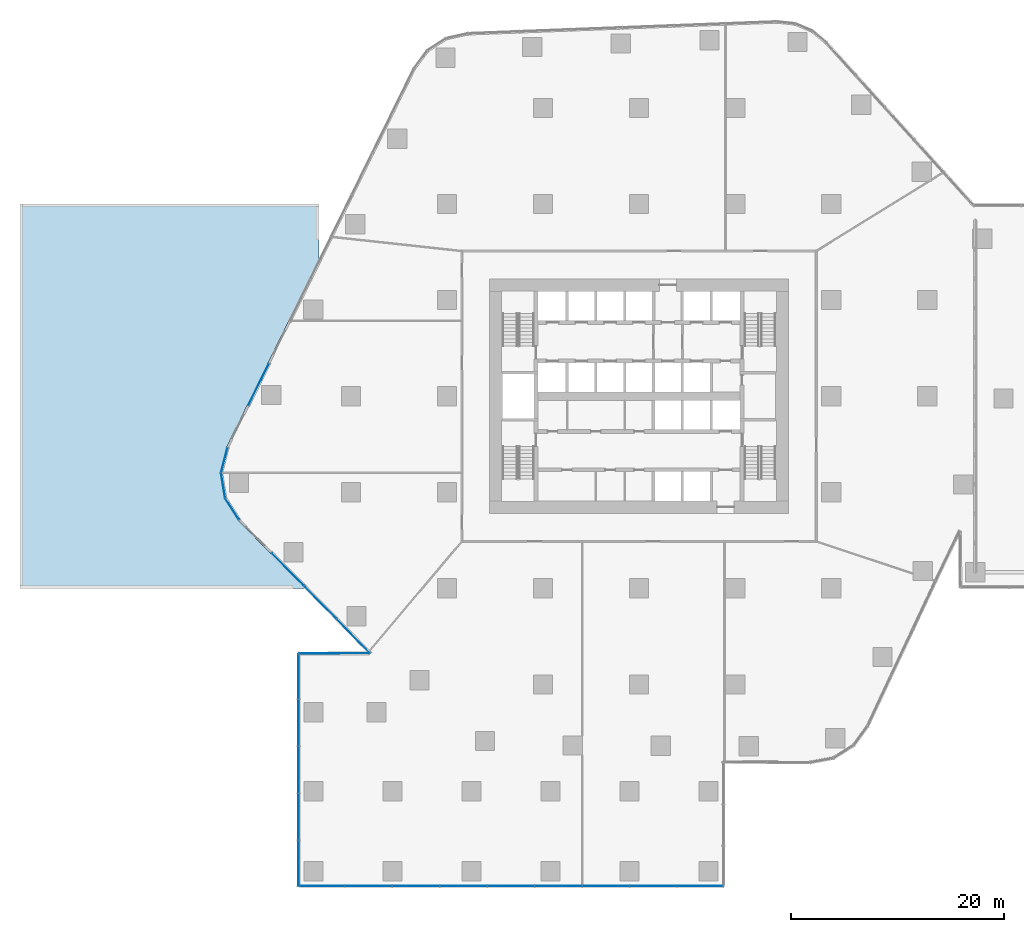
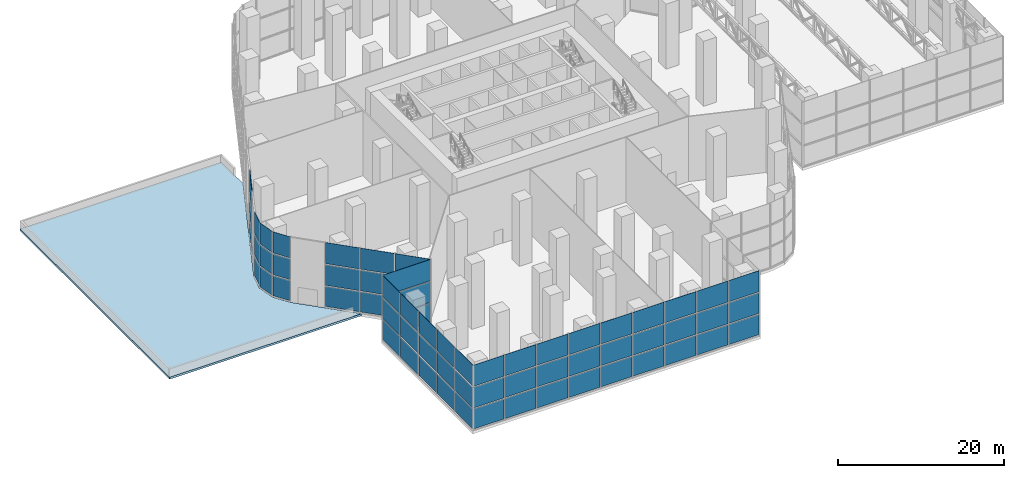
# One storey, part 11 of 21: 66 plates, 1 slab, 6 elements without a shape of their own.
"""IFC4 building model written with IfcOpenShell, lengths in metres."""

from ifc_helpers import new_model, si_unit, direction, frame, origin, origin_2d, place, context, subcontext, project, spatial, polyline, rectangle, outline, extrude, material, layer, layer_set, type_object, element, aggregate, save


model = new_model("IFC4")

# Units and contexts
model_context = context("Model", 3, precision=1e-05, world=origin(), true_north=direction((0.0, 1.0)))
body_context = subcontext(model_context, "Body", "Model", "MODEL_VIEW")
ifc_project = project(units=[si_unit("LENGTHUNIT", "METRE"), si_unit("AREAUNIT", "SQUARE_METRE"), si_unit("VOLUMEUNIT", "CUBIC_METRE"), si_unit("PLANEANGLEUNIT", "RADIAN"), si_unit("MASSUNIT", "GRAM", prefix="KILO")], contexts=[model_context])

# Site, building, storey
site_placement = place(None, origin())
site = spatial("IfcSite", under=ifc_project, at=site_placement, CompositionType="ELEMENT")
building_placement = place(site_placement, origin())
building = spatial("IfcBuilding", under=site, at=building_placement, Name="Dongbaek Canopy Tower", CompositionType="ELEMENT")
storey_placement = place(building_placement, frame((0.0, 0.0, 9.0)))
storey = spatial("IfcBuildingStorey", under=building, at=storey_placement, Name="L01", CompositionType="ELEMENT", Elevation=9.0)

# Curtain wall, plates
ifc_material_1 = material(Name="Aluminium 6063-T6 pale anodised", Category="aluminium")
ifc_layer_1 = layer(ifc_material_1, 0.300048828125)
ifc_layer_set_1 = layer_set([ifc_layer_1], Name="CW-2 podium hall curtain wall")
curtain_wall_type = type_object("IfcCurtainWallType", Name="CW-2 podium hall curtain wall", PredefinedType="NOTDEFINED", material=ifc_layer_set_1)
curtain_wall_1_placement = place(storey_placement, origin())
curtain_wall_1 = element("IfcCurtainWall", 1, at=curtain_wall_1_placement, inside=storey, type_object=curtain_wall_type, Name="CW-2 curtain wall F7.2", PredefinedType="NOTDEFINED")
ifc_material_2 = material(Name="Clear laminated glass", Category="glass")
ifc_layer_2 = layer(ifc_material_2, 0.035888671875)
ifc_layer_set_2 = layer_set([ifc_layer_2], Name="CW-2 glazed panel 36")
plate_type = type_object("IfcPlateType", Name="CW-2 glazed panel 36", PredefinedType="CURTAIN_PANEL", material=ifc_layer_set_2)
plate_1_placement = place(storey_placement, frame((-35.65185546875, 1.084716796875, 0.159912109375), z_axis=(0.0, 0.0, 1.0), x_axis=(-0.441341613378, -0.897339166815, 0.0)))
plate_1 = element("IfcPlate", 2, at=plate_1_placement, type_object=plate_type, Name="CW-2 panel F7.2.1.1", PredefinedType="CURTAIN_PANEL", context=body_context, shape_type="SweptSolid", body=[
    extrude(rectangle(XDim=4.29541015625, YDim=0.035888671875, at=origin_2d()), origin(), (0.0, 0.0, 1.0), 2.943359375),
])
plate_2_placement = place(storey_placement, frame((-35.65185546875, 1.084716796875, 3.26318359375), z_axis=(0.0, 0.0, 1.0), x_axis=(-0.441341613378, -0.897339166815, 0.0)))
plate_2 = element("IfcPlate", 3, at=plate_2_placement, type_object=plate_type, Name="CW-2 panel F7.2.1.2", PredefinedType="CURTAIN_PANEL", context=body_context, shape_type="SweptSolid", body=[
    extrude(rectangle(XDim=4.29541015625, YDim=0.035888671875, at=origin_2d()), origin(), (0.0, 0.0, 1.0), 3.0234375),
])
plate_3_placement = place(storey_placement, frame((-35.65185546875, 1.084716796875, 6.44677734375), z_axis=(0.0, 0.0, 1.0), x_axis=(-0.441341613378, -0.897339166815, 0.0)))
plate_3 = element("IfcPlate", 4, at=plate_3_placement, type_object=plate_type, Name="CW-2 panel F7.2.1.3", PredefinedType="CURTAIN_PANEL", context=body_context, shape_type="SweptSolid", body=[
    extrude(rectangle(XDim=4.29541015625, YDim=0.035888671875, at=origin_2d()), origin(), (0.0, 0.0, 1.0), 3.103271484375),
])
aggregate(curtain_wall_1, [plate_1, plate_2, plate_3])

curtain_wall_2_placement = place(storey_placement, origin())
curtain_wall_2 = element("IfcCurtainWall", 5, at=curtain_wall_2_placement, inside=storey, type_object=curtain_wall_type, Name="CW-2 curtain wall K3.1", PredefinedType="NOTDEFINED")
plate_4_placement = place(storey_placement, frame((-38.86083984375, -6.000244140625, 0.159912109375), z_axis=(0.0, 0.0, 1.0), x_axis=(-0.248641038295, -0.968595702074, 0.0)))
plate_4 = element("IfcPlate", 6, at=plate_4_placement, type_object=plate_type, Name="CW-2 panel K3.1.1.1", PredefinedType="CURTAIN_PANEL", context=body_context, shape_type="SweptSolid", body=[
    extrude(rectangle(XDim=2.317138671875, YDim=0.035888671875, at=origin_2d()), origin(), (0.0, 0.0, 1.0), 2.943359375),
])
plate_5_placement = place(storey_placement, frame((-38.86083984375, -6.000244140625, 3.26318359375), z_axis=(0.0, 0.0, 1.0), x_axis=(-0.248641038295, -0.968595702074, 0.0)))
plate_5 = element("IfcPlate", 7, at=plate_5_placement, type_object=plate_type, Name="CW-2 panel K3.1.1.2", PredefinedType="CURTAIN_PANEL", context=body_context, shape_type="SweptSolid", body=[
    extrude(rectangle(XDim=2.317138671875, YDim=0.035888671875, at=origin_2d()), origin(), (0.0, 0.0, 1.0), 3.0234375),
])
plate_6_placement = place(storey_placement, frame((-38.86083984375, -6.000244140625, 6.44677734375), z_axis=(0.0, 0.0, 1.0), x_axis=(-0.248641038295, -0.968595702074, 0.0)))
plate_6 = element("IfcPlate", 8, at=plate_6_placement, type_object=plate_type, Name="CW-2 panel K3.1.1.3", PredefinedType="CURTAIN_PANEL", context=body_context, shape_type="SweptSolid", body=[
    extrude(rectangle(XDim=2.317138671875, YDim=0.035888671875, at=origin_2d()), origin(), (0.0, 0.0, 1.0), 3.103271484375),
])
plate_7_placement = place(storey_placement, frame((-38.969482421875, -8.36279296875, 0.159912109375), z_axis=(0.0, 0.0, 1.0), x_axis=(0.159670565069, -0.987170355435, 0.0)))
plate_7 = element("IfcPlate", 9, at=plate_7_placement, type_object=plate_type, Name="CW-2 panel K3.1.2.1", PredefinedType="CURTAIN_PANEL", context=body_context, shape_type="SweptSolid", body=[
    extrude(rectangle(XDim=2.306640625, YDim=0.035888671875, at=origin_2d()), origin(), (0.0, 0.0, 1.0), 2.943359375),
])
plate_8_placement = place(storey_placement, frame((-38.969482421875, -8.36279296875, 3.26318359375), z_axis=(0.0, 0.0, 1.0), x_axis=(0.159670565069, -0.987170355435, 0.0)))
plate_8 = element("IfcPlate", 10, at=plate_8_placement, type_object=plate_type, Name="CW-2 panel K3.1.2.2", PredefinedType="CURTAIN_PANEL", context=body_context, shape_type="SweptSolid", body=[
    extrude(rectangle(XDim=2.306640625, YDim=0.035888671875, at=origin_2d()), origin(), (0.0, 0.0, 1.0), 3.0234375),
])
plate_9_placement = place(storey_placement, frame((-38.969482421875, -8.36279296875, 6.44677734375), z_axis=(0.0, 0.0, 1.0), x_axis=(0.159670565069, -0.987170355435, 0.0)))
plate_9 = element("IfcPlate", 11, at=plate_9_placement, type_object=plate_type, Name="CW-2 panel K3.1.2.3", PredefinedType="CURTAIN_PANEL", context=body_context, shape_type="SweptSolid", body=[
    extrude(rectangle(XDim=2.306640625, YDim=0.035888671875, at=origin_2d()), origin(), (0.0, 0.0, 1.0), 3.103271484375),
])
plate_10_placement = place(storey_placement, frame((-38.12158203125, -10.570556640625, 0.159912109375), z_axis=(0.0, 0.0, 1.0), x_axis=(0.541305923405, -0.840825723493, 0.0)))
plate_10 = element("IfcPlate", 12, at=plate_10_placement, type_object=plate_type, Name="CW-2 panel K3.1.3.1", PredefinedType="CURTAIN_PANEL", context=body_context, shape_type="SweptSolid", body=[
    extrude(rectangle(XDim=2.317138671875, YDim=0.035888671875, at=origin_2d()), origin(), (0.0, 0.0, 1.0), 2.943359375),
])
plate_11_placement = place(storey_placement, frame((-38.12158203125, -10.570556640625, 3.26318359375), z_axis=(0.0, 0.0, 1.0), x_axis=(0.541305923405, -0.840825723493, 0.0)))
plate_11 = element("IfcPlate", 13, at=plate_11_placement, type_object=plate_type, Name="CW-2 panel K3.1.3.2", PredefinedType="CURTAIN_PANEL", context=body_context, shape_type="SweptSolid", body=[
    extrude(rectangle(XDim=2.317138671875, YDim=0.035888671875, at=origin_2d()), origin(), (0.0, 0.0, 1.0), 3.0234375),
])
plate_12_placement = place(storey_placement, frame((-38.12158203125, -10.570556640625, 6.44677734375), z_axis=(0.0, 0.0, 1.0), x_axis=(0.541305923405, -0.840825723493, 0.0)))
plate_12 = element("IfcPlate", 14, at=plate_12_placement, type_object=plate_type, Name="CW-2 panel K3.1.3.3", PredefinedType="CURTAIN_PANEL", context=body_context, shape_type="SweptSolid", body=[
    extrude(rectangle(XDim=2.317138671875, YDim=0.035888671875, at=origin_2d()), origin(), (0.0, 0.0, 1.0), 3.103271484375),
])
aggregate(curtain_wall_2, [plate_4, plate_5, plate_6, plate_7, plate_8, plate_9, plate_10, plate_11, plate_12])

curtain_wall_3_placement = place(storey_placement, origin())
curtain_wall_3 = element("IfcCurtainWall", 15, at=curtain_wall_3_placement, inside=storey, type_object=curtain_wall_type, Name="CW-2 curtain wall F8.1", PredefinedType="NOTDEFINED")
plate_13_placement = place(storey_placement, frame((-32.91259765625, -16.2119140625, 0.159912109375), z_axis=(0.0, 0.0, 1.0), x_axis=(0.70171827376, -0.71245453488, 0.0)))
plate_13 = element("IfcPlate", 16, at=plate_13_placement, type_object=plate_type, Name="CW-2 panel F8.1.1.1", PredefinedType="CURTAIN_PANEL", context=body_context, shape_type="SweptSolid", body=[
    extrude(rectangle(XDim=4.229248046875, YDim=0.035888671875, at=origin_2d()), origin(), (0.0, 0.0, 1.0), 2.943359375),
])
plate_14_placement = place(storey_placement, frame((-32.91259765625, -16.2119140625, 3.26318359375), z_axis=(0.0, 0.0, 1.0), x_axis=(0.70171827376, -0.71245453488, 0.0)))
plate_14 = element("IfcPlate", 17, at=plate_14_placement, type_object=plate_type, Name="CW-2 panel F8.1.1.2", PredefinedType="CURTAIN_PANEL", context=body_context, shape_type="SweptSolid", body=[
    extrude(rectangle(XDim=4.229248046875, YDim=0.035888671875, at=origin_2d()), origin(), (0.0, 0.0, 1.0), 3.0234375),
])
plate_15_placement = place(storey_placement, frame((-32.91259765625, -16.2119140625, 6.44677734375), z_axis=(0.0, 0.0, 1.0), x_axis=(0.70171827376, -0.71245453488, 0.0)))
plate_15 = element("IfcPlate", 18, at=plate_15_placement, type_object=plate_type, Name="CW-2 panel F8.1.1.3", PredefinedType="CURTAIN_PANEL", context=body_context, shape_type="SweptSolid", body=[
    extrude(rectangle(XDim=4.229248046875, YDim=0.035888671875, at=origin_2d()), origin(), (0.0, 0.0, 1.0), 3.103271484375),
])
plate_16_placement = place(storey_placement, frame((-29.871826171875, -19.299072265625, 0.159912109375), z_axis=(0.0, 0.0, 1.0), x_axis=(0.70171827376, -0.71245453488, 0.0)))
plate_16 = element("IfcPlate", 19, at=plate_16_placement, type_object=plate_type, Name="CW-2 panel F8.1.2.1", PredefinedType="CURTAIN_PANEL", context=body_context, shape_type="SweptSolid", body=[
    extrude(rectangle(XDim=4.229248046875, YDim=0.035888671875, at=origin_2d()), origin(), (0.0, 0.0, 1.0), 2.943359375),
])
plate_17_placement = place(storey_placement, frame((-29.871826171875, -19.299072265625, 3.26318359375), z_axis=(0.0, 0.0, 1.0), x_axis=(0.70171827376, -0.71245453488, 0.0)))
plate_17 = element("IfcPlate", 20, at=plate_17_placement, type_object=plate_type, Name="CW-2 panel F8.1.2.2", PredefinedType="CURTAIN_PANEL", context=body_context, shape_type="SweptSolid", body=[
    extrude(rectangle(XDim=4.229248046875, YDim=0.035888671875, at=origin_2d()), origin(), (0.0, 0.0, 1.0), 3.0234375),
])
plate_18_placement = place(storey_placement, frame((-29.871826171875, -19.299072265625, 6.44677734375), z_axis=(0.0, 0.0, 1.0), x_axis=(0.70171827376, -0.71245453488, 0.0)))
plate_18 = element("IfcPlate", 21, at=plate_18_placement, type_object=plate_type, Name="CW-2 panel F8.1.2.3", PredefinedType="CURTAIN_PANEL", context=body_context, shape_type="SweptSolid", body=[
    extrude(rectangle(XDim=4.229248046875, YDim=0.035888671875, at=origin_2d()), origin(), (0.0, 0.0, 1.0), 3.103271484375),
])
plate_19_placement = place(storey_placement, frame((-26.774658203125, -22.4599609375, 0.159912109375), z_axis=(0.0, 0.0, 1.0), x_axis=(0.698119681165, -0.71598108269, 0.0)))
plate_19 = element("IfcPlate", 22, at=plate_19_placement, type_object=plate_type, Name="CW-2 panel F8.1.3.1", PredefinedType="CURTAIN_PANEL", context=body_context, shape_type="SweptSolid", body=[
    extrude(rectangle(XDim=4.413818359375, YDim=0.035888671875, at=origin_2d()), origin(), (0.0, 0.0, 1.0), 2.943359375),
])
plate_20_placement = place(storey_placement, frame((-26.774658203125, -22.4599609375, 3.26318359375), z_axis=(0.0, 0.0, 1.0), x_axis=(0.698119681165, -0.71598108269, 0.0)))
plate_20 = element("IfcPlate", 23, at=plate_20_placement, type_object=plate_type, Name="CW-2 panel F8.1.3.2", PredefinedType="CURTAIN_PANEL", context=body_context, shape_type="SweptSolid", body=[
    extrude(rectangle(XDim=4.413818359375, YDim=0.035888671875, at=origin_2d()), origin(), (0.0, 0.0, 1.0), 3.0234375),
])
plate_21_placement = place(storey_placement, frame((-26.774658203125, -22.4599609375, 6.44677734375), z_axis=(0.0, 0.0, 1.0), x_axis=(0.698119681165, -0.71598108269, 0.0)))
plate_21 = element("IfcPlate", 24, at=plate_21_placement, type_object=plate_type, Name="CW-2 panel F8.1.3.3", PredefinedType="CURTAIN_PANEL", context=body_context, shape_type="SweptSolid", body=[
    extrude(rectangle(XDim=4.413818359375, YDim=0.035888671875, at=origin_2d()), origin(), (0.0, 0.0, 1.0), 3.103271484375),
])
aggregate(curtain_wall_3, [plate_13, plate_14, plate_15, plate_16, plate_17, plate_18, plate_19, plate_20, plate_21])

curtain_wall_4_placement = place(storey_placement, origin())
curtain_wall_4 = element("IfcCurtainWall", 25, at=curtain_wall_4_placement, inside=storey, type_object=curtain_wall_type, Name="CW-2 curtain wall F9.1", PredefinedType="NOTDEFINED")
plate_22_placement = place(storey_placement, frame((-28.548828125, -24.088623046875, 0.159912109375), z_axis=(0.0, 0.0, 1.0), x_axis=(-0.999994232996, -0.003396170688, 0.0)))
plate_22 = element("IfcPlate", 26, at=plate_22_placement, type_object=plate_type, Name="CW-2 panel F9.1.1.1", PredefinedType="CURTAIN_PANEL", context=body_context, shape_type="SweptSolid", body=[
    extrude(rectangle(XDim=6.598388671875, YDim=0.035888671875, at=origin_2d()), origin(), (0.0, 0.0, 1.0), 2.943359375),
])
plate_23_placement = place(storey_placement, frame((-28.548828125, -24.088623046875, 3.26318359375), z_axis=(0.0, 0.0, 1.0), x_axis=(-0.999994232996, -0.003396170688, 0.0)))
plate_23 = element("IfcPlate", 27, at=plate_23_placement, type_object=plate_type, Name="CW-2 panel F9.1.1.2", PredefinedType="CURTAIN_PANEL", context=body_context, shape_type="SweptSolid", body=[
    extrude(rectangle(XDim=6.598388671875, YDim=0.035888671875, at=origin_2d()), origin(), (0.0, 0.0, 1.0), 3.0234375),
])
plate_24_placement = place(storey_placement, frame((-28.548828125, -24.088623046875, 6.44677734375), z_axis=(0.0, 0.0, 1.0), x_axis=(-0.999994232996, -0.003396170688, 0.0)))
plate_24 = element("IfcPlate", 28, at=plate_24_placement, type_object=plate_type, Name="CW-2 panel F9.1.1.3", PredefinedType="CURTAIN_PANEL", context=body_context, shape_type="SweptSolid", body=[
    extrude(rectangle(XDim=6.598388671875, YDim=0.035888671875, at=origin_2d()), origin(), (0.0, 0.0, 1.0), 3.103271484375),
])
aggregate(curtain_wall_4, [plate_22, plate_23, plate_24])

curtain_wall_5_placement = place(storey_placement, origin())
curtain_wall_5 = element("IfcCurtainWall", 29, at=curtain_wall_5_placement, inside=storey, type_object=curtain_wall_type, Name="CW-2 curtain wall F10.1", PredefinedType="NOTDEFINED")
plate_25_placement = place(storey_placement, frame((-31.89990234375, -26.25, 0.159912109375), z_axis=(0.0, 0.0, 1.0), x_axis=(0.0, -1.0, 0.0)))
plate_25 = element("IfcPlate", 30, at=plate_25_placement, type_object=plate_type, Name="CW-2 panel F10.1.1.1", PredefinedType="CURTAIN_PANEL", context=body_context, shape_type="SweptSolid", body=[
    extrude(rectangle(XDim=4.196044921875, YDim=0.035888671875, at=origin_2d()), origin(), (0.0, 0.0, 1.0), 2.943359375),
])
plate_26_placement = place(storey_placement, frame((-31.89990234375, -26.25, 3.26318359375), z_axis=(0.0, 0.0, 1.0), x_axis=(0.0, -1.0, 0.0)))
plate_26 = element("IfcPlate", 31, at=plate_26_placement, type_object=plate_type, Name="CW-2 panel F10.1.1.2", PredefinedType="CURTAIN_PANEL", context=body_context, shape_type="SweptSolid", body=[
    extrude(rectangle(XDim=4.196044921875, YDim=0.035888671875, at=origin_2d()), origin(), (0.0, 0.0, 1.0), 3.0234375),
])
plate_27_placement = place(storey_placement, frame((-31.89990234375, -26.25, 6.44677734375), z_axis=(0.0, 0.0, 1.0), x_axis=(0.0, -1.0, 0.0)))
plate_27 = element("IfcPlate", 32, at=plate_27_placement, type_object=plate_type, Name="CW-2 panel F10.1.1.3", PredefinedType="CURTAIN_PANEL", context=body_context, shape_type="SweptSolid", body=[
    extrude(rectangle(XDim=4.196044921875, YDim=0.035888671875, at=origin_2d()), origin(), (0.0, 0.0, 1.0), 3.103271484375),
])
plate_28_placement = place(storey_placement, frame((-31.89990234375, -30.60009765625, 0.159912109375), z_axis=(0.0, 0.0, 1.0), x_axis=(0.0, -1.0, 0.0)))
plate_28 = element("IfcPlate", 33, at=plate_28_placement, type_object=plate_type, Name="CW-2 panel F10.1.2.1", PredefinedType="CURTAIN_PANEL", context=body_context, shape_type="SweptSolid", body=[
    extrude(rectangle(XDim=4.2958984375, YDim=0.035888671875, at=origin_2d()), origin(), (0.0, 0.0, 1.0), 2.943359375),
])
plate_29_placement = place(storey_placement, frame((-31.89990234375, -30.60009765625, 3.26318359375), z_axis=(0.0, 0.0, 1.0), x_axis=(0.0, -1.0, 0.0)))
plate_29 = element("IfcPlate", 34, at=plate_29_placement, type_object=plate_type, Name="CW-2 panel F10.1.2.2", PredefinedType="CURTAIN_PANEL", context=body_context, shape_type="SweptSolid", body=[
    extrude(rectangle(XDim=4.2958984375, YDim=0.035888671875, at=origin_2d()), origin(), (0.0, 0.0, 1.0), 3.0234375),
])
plate_30_placement = place(storey_placement, frame((-31.89990234375, -30.60009765625, 6.44677734375), z_axis=(0.0, 0.0, 1.0), x_axis=(0.0, -1.0, 0.0)))
plate_30 = element("IfcPlate", 35, at=plate_30_placement, type_object=plate_type, Name="CW-2 panel F10.1.2.3", PredefinedType="CURTAIN_PANEL", context=body_context, shape_type="SweptSolid", body=[
    extrude(rectangle(XDim=4.2958984375, YDim=0.035888671875, at=origin_2d()), origin(), (0.0, 0.0, 1.0), 3.103271484375),
])
plate_31_placement = place(storey_placement, frame((-31.89990234375, -35.0, 0.159912109375), z_axis=(0.0, 0.0, 1.0), x_axis=(0.0, -1.0, 0.0)))
plate_31 = element("IfcPlate", 36, at=plate_31_placement, type_object=plate_type, Name="CW-2 panel F10.1.3.1", PredefinedType="CURTAIN_PANEL", context=body_context, shape_type="SweptSolid", body=[
    extrude(rectangle(XDim=4.2958984375, YDim=0.035888671875, at=origin_2d()), origin(), (0.0, 0.0, 1.0), 2.943359375),
])
plate_32_placement = place(storey_placement, frame((-31.89990234375, -35.0, 3.26318359375), z_axis=(0.0, 0.0, 1.0), x_axis=(0.0, -1.0, 0.0)))
plate_32 = element("IfcPlate", 37, at=plate_32_placement, type_object=plate_type, Name="CW-2 panel F10.1.3.2", PredefinedType="CURTAIN_PANEL", context=body_context, shape_type="SweptSolid", body=[
    extrude(rectangle(XDim=4.2958984375, YDim=0.035888671875, at=origin_2d()), origin(), (0.0, 0.0, 1.0), 3.0234375),
])
plate_33_placement = place(storey_placement, frame((-31.89990234375, -35.0, 6.44677734375), z_axis=(0.0, 0.0, 1.0), x_axis=(0.0, -1.0, 0.0)))
plate_33 = element("IfcPlate", 38, at=plate_33_placement, type_object=plate_type, Name="CW-2 panel F10.1.3.3", PredefinedType="CURTAIN_PANEL", context=body_context, shape_type="SweptSolid", body=[
    extrude(rectangle(XDim=4.2958984375, YDim=0.035888671875, at=origin_2d()), origin(), (0.0, 0.0, 1.0), 3.103271484375),
])
plate_34_placement = place(storey_placement, frame((-31.89990234375, -39.39990234375, 0.159912109375), z_axis=(0.0, 0.0, 1.0), x_axis=(0.0, -1.0, 0.0)))
plate_34 = element("IfcPlate", 39, at=plate_34_placement, type_object=plate_type, Name="CW-2 panel F10.1.4.1", PredefinedType="CURTAIN_PANEL", context=body_context, shape_type="SweptSolid", body=[
    extrude(rectangle(XDim=4.2958984375, YDim=0.035888671875, at=origin_2d()), origin(), (0.0, 0.0, 1.0), 2.943359375),
])
plate_35_placement = place(storey_placement, frame((-31.89990234375, -39.39990234375, 3.26318359375), z_axis=(0.0, 0.0, 1.0), x_axis=(0.0, -1.0, 0.0)))
plate_35 = element("IfcPlate", 40, at=plate_35_placement, type_object=plate_type, Name="CW-2 panel F10.1.4.2", PredefinedType="CURTAIN_PANEL", context=body_context, shape_type="SweptSolid", body=[
    extrude(rectangle(XDim=4.2958984375, YDim=0.035888671875, at=origin_2d()), origin(), (0.0, 0.0, 1.0), 3.0234375),
])
plate_36_placement = place(storey_placement, frame((-31.89990234375, -39.39990234375, 6.44677734375), z_axis=(0.0, 0.0, 1.0), x_axis=(0.0, -1.0, 0.0)))
plate_36 = element("IfcPlate", 41, at=plate_36_placement, type_object=plate_type, Name="CW-2 panel F10.1.4.3", PredefinedType="CURTAIN_PANEL", context=body_context, shape_type="SweptSolid", body=[
    extrude(rectangle(XDim=4.2958984375, YDim=0.035888671875, at=origin_2d()), origin(), (0.0, 0.0, 1.0), 3.103271484375),
])
plate_37_placement = place(storey_placement, frame((-31.89990234375, -43.75, 0.159912109375), z_axis=(0.0, 0.0, 1.0), x_axis=(0.0, -1.0, 0.0)))
plate_37 = element("IfcPlate", 42, at=plate_37_placement, type_object=plate_type, Name="CW-2 panel F10.1.5.1", PredefinedType="CURTAIN_PANEL", context=body_context, shape_type="SweptSolid", body=[
    extrude(rectangle(XDim=4.196044921875, YDim=0.035888671875, at=origin_2d()), origin(), (0.0, 0.0, 1.0), 2.943359375),
])
plate_38_placement = place(storey_placement, frame((-31.89990234375, -43.75, 3.26318359375), z_axis=(0.0, 0.0, 1.0), x_axis=(0.0, -1.0, 0.0)))
plate_38 = element("IfcPlate", 43, at=plate_38_placement, type_object=plate_type, Name="CW-2 panel F10.1.5.2", PredefinedType="CURTAIN_PANEL", context=body_context, shape_type="SweptSolid", body=[
    extrude(rectangle(XDim=4.196044921875, YDim=0.035888671875, at=origin_2d()), origin(), (0.0, 0.0, 1.0), 3.0234375),
])
plate_39_placement = place(storey_placement, frame((-31.89990234375, -43.75, 6.44677734375), z_axis=(0.0, 0.0, 1.0), x_axis=(0.0, -1.0, 0.0)))
plate_39 = element("IfcPlate", 44, at=plate_39_placement, type_object=plate_type, Name="CW-2 panel F10.1.5.3", PredefinedType="CURTAIN_PANEL", context=body_context, shape_type="SweptSolid", body=[
    extrude(rectangle(XDim=4.196044921875, YDim=0.035888671875, at=origin_2d()), origin(), (0.0, 0.0, 1.0), 3.103271484375),
])
aggregate(curtain_wall_5, [plate_25, plate_26, plate_27, plate_28, plate_29, plate_30, plate_31, plate_32, plate_33, plate_34, plate_35, plate_36, plate_37, plate_38, plate_39])

curtain_wall_6_placement = place(storey_placement, origin())
curtain_wall_6 = element("IfcCurtainWall", 45, at=curtain_wall_6_placement, inside=storey, type_object=curtain_wall_type, Name="CW-2 curtain wall F11.1", PredefinedType="NOTDEFINED")
plate_40_placement = place(storey_placement, frame((-29.727783203125, -45.89990234375, 0.159912109375), z_axis=(0.0, 0.0, 1.0), x_axis=(1.0, 0.0, 0.0)))
plate_40 = element("IfcPlate", 46, at=plate_40_placement, type_object=plate_type, Name="CW-2 panel F11.1.1.1", PredefinedType="CURTAIN_PANEL", context=body_context, shape_type="SweptSolid", body=[
    extrude(rectangle(XDim=4.240478515625, YDim=0.035888671875, at=origin_2d()), origin(), (0.0, 0.0, 1.0), 2.943359375),
])
plate_41_placement = place(storey_placement, frame((-29.727783203125, -45.89990234375, 3.26318359375), z_axis=(0.0, 0.0, 1.0), x_axis=(1.0, 0.0, 0.0)))
plate_41 = element("IfcPlate", 47, at=plate_41_placement, type_object=plate_type, Name="CW-2 panel F11.1.1.2", PredefinedType="CURTAIN_PANEL", context=body_context, shape_type="SweptSolid", body=[
    extrude(rectangle(XDim=4.240478515625, YDim=0.035888671875, at=origin_2d()), origin(), (0.0, 0.0, 1.0), 3.0234375),
])
plate_42_placement = place(storey_placement, frame((-29.727783203125, -45.89990234375, 6.44677734375), z_axis=(0.0, 0.0, 1.0), x_axis=(1.0, 0.0, 0.0)))
plate_42 = element("IfcPlate", 48, at=plate_42_placement, type_object=plate_type, Name="CW-2 panel F11.1.1.3", PredefinedType="CURTAIN_PANEL", context=body_context, shape_type="SweptSolid", body=[
    extrude(rectangle(XDim=4.240478515625, YDim=0.035888671875, at=origin_2d()), origin(), (0.0, 0.0, 1.0), 3.103271484375),
])
plate_43_placement = place(storey_placement, frame((-25.333251953125, -45.89990234375, 0.159912109375), z_axis=(0.0, 0.0, 1.0), x_axis=(1.0, 0.0, 0.0)))
plate_43 = element("IfcPlate", 49, at=plate_43_placement, type_object=plate_type, Name="CW-2 panel F11.1.2.1", PredefinedType="CURTAIN_PANEL", context=body_context, shape_type="SweptSolid", body=[
    extrude(rectangle(XDim=4.34033203125, YDim=0.035888671875, at=origin_2d()), origin(), (0.0, 0.0, 1.0), 2.943359375),
])
plate_44_placement = place(storey_placement, frame((-25.333251953125, -45.89990234375, 3.26318359375), z_axis=(0.0, 0.0, 1.0), x_axis=(1.0, 0.0, 0.0)))
plate_44 = element("IfcPlate", 50, at=plate_44_placement, type_object=plate_type, Name="CW-2 panel F11.1.2.2", PredefinedType="CURTAIN_PANEL", context=body_context, shape_type="SweptSolid", body=[
    extrude(rectangle(XDim=4.34033203125, YDim=0.035888671875, at=origin_2d()), origin(), (0.0, 0.0, 1.0), 3.0234375),
])
plate_45_placement = place(storey_placement, frame((-25.333251953125, -45.89990234375, 6.44677734375), z_axis=(0.0, 0.0, 1.0), x_axis=(1.0, 0.0, 0.0)))
plate_45 = element("IfcPlate", 51, at=plate_45_placement, type_object=plate_type, Name="CW-2 panel F11.1.2.3", PredefinedType="CURTAIN_PANEL", context=body_context, shape_type="SweptSolid", body=[
    extrude(rectangle(XDim=4.34033203125, YDim=0.035888671875, at=origin_2d()), origin(), (0.0, 0.0, 1.0), 3.103271484375),
])
plate_46_placement = place(storey_placement, frame((-20.888916015625, -45.89990234375, 0.159912109375), z_axis=(0.0, 0.0, 1.0), x_axis=(1.0, 0.0, 0.0)))
plate_46 = element("IfcPlate", 52, at=plate_46_placement, type_object=plate_type, Name="CW-2 panel F11.1.3.1", PredefinedType="CURTAIN_PANEL", context=body_context, shape_type="SweptSolid", body=[
    extrude(rectangle(XDim=4.34033203125, YDim=0.035888671875, at=origin_2d()), origin(), (0.0, 0.0, 1.0), 2.943359375),
])
plate_47_placement = place(storey_placement, frame((-20.888916015625, -45.89990234375, 3.26318359375), z_axis=(0.0, 0.0, 1.0), x_axis=(1.0, 0.0, 0.0)))
plate_47 = element("IfcPlate", 53, at=plate_47_placement, type_object=plate_type, Name="CW-2 panel F11.1.3.2", PredefinedType="CURTAIN_PANEL", context=body_context, shape_type="SweptSolid", body=[
    extrude(rectangle(XDim=4.34033203125, YDim=0.035888671875, at=origin_2d()), origin(), (0.0, 0.0, 1.0), 3.0234375),
])
plate_48_placement = place(storey_placement, frame((-20.888916015625, -45.89990234375, 6.44677734375), z_axis=(0.0, 0.0, 1.0), x_axis=(1.0, 0.0, 0.0)))
plate_48 = element("IfcPlate", 54, at=plate_48_placement, type_object=plate_type, Name="CW-2 panel F11.1.3.3", PredefinedType="CURTAIN_PANEL", context=body_context, shape_type="SweptSolid", body=[
    extrude(rectangle(XDim=4.34033203125, YDim=0.035888671875, at=origin_2d()), origin(), (0.0, 0.0, 1.0), 3.103271484375),
])
plate_49_placement = place(storey_placement, frame((-16.4443359375, -45.89990234375, 0.159912109375), z_axis=(0.0, 0.0, 1.0), x_axis=(1.0, 0.0, 0.0)))
plate_49 = element("IfcPlate", 55, at=plate_49_placement, type_object=plate_type, Name="CW-2 panel F11.1.4.1", PredefinedType="CURTAIN_PANEL", context=body_context, shape_type="SweptSolid", body=[
    extrude(rectangle(XDim=4.34033203125, YDim=0.035888671875, at=origin_2d()), origin(), (0.0, 0.0, 1.0), 2.943359375),
])
plate_50_placement = place(storey_placement, frame((-16.4443359375, -45.89990234375, 3.26318359375), z_axis=(0.0, 0.0, 1.0), x_axis=(1.0, 0.0, 0.0)))
plate_50 = element("IfcPlate", 56, at=plate_50_placement, type_object=plate_type, Name="CW-2 panel F11.1.4.2", PredefinedType="CURTAIN_PANEL", context=body_context, shape_type="SweptSolid", body=[
    extrude(rectangle(XDim=4.34033203125, YDim=0.035888671875, at=origin_2d()), origin(), (0.0, 0.0, 1.0), 3.0234375),
])
plate_51_placement = place(storey_placement, frame((-16.4443359375, -45.89990234375, 6.44677734375), z_axis=(0.0, 0.0, 1.0), x_axis=(1.0, 0.0, 0.0)))
plate_51 = element("IfcPlate", 57, at=plate_51_placement, type_object=plate_type, Name="CW-2 panel F11.1.4.3", PredefinedType="CURTAIN_PANEL", context=body_context, shape_type="SweptSolid", body=[
    extrude(rectangle(XDim=4.34033203125, YDim=0.035888671875, at=origin_2d()), origin(), (0.0, 0.0, 1.0), 3.103271484375),
])
plate_52_placement = place(storey_placement, frame((-12.0, -45.89990234375, 0.159912109375), z_axis=(0.0, 0.0, 1.0), x_axis=(1.0, 0.0, 0.0)))
plate_52 = element("IfcPlate", 58, at=plate_52_placement, type_object=plate_type, Name="CW-2 panel F11.1.5.1", PredefinedType="CURTAIN_PANEL", context=body_context, shape_type="SweptSolid", body=[
    extrude(rectangle(XDim=4.34033203125, YDim=0.035888671875, at=origin_2d()), origin(), (0.0, 0.0, 1.0), 2.943359375),
])
plate_53_placement = place(storey_placement, frame((-12.0, -45.89990234375, 3.26318359375), z_axis=(0.0, 0.0, 1.0), x_axis=(1.0, 0.0, 0.0)))
plate_53 = element("IfcPlate", 59, at=plate_53_placement, type_object=plate_type, Name="CW-2 panel F11.1.5.2", PredefinedType="CURTAIN_PANEL", context=body_context, shape_type="SweptSolid", body=[
    extrude(rectangle(XDim=4.34033203125, YDim=0.035888671875, at=origin_2d()), origin(), (0.0, 0.0, 1.0), 3.0234375),
])
plate_54_placement = place(storey_placement, frame((-12.0, -45.89990234375, 6.44677734375), z_axis=(0.0, 0.0, 1.0), x_axis=(1.0, 0.0, 0.0)))
plate_54 = element("IfcPlate", 60, at=plate_54_placement, type_object=plate_type, Name="CW-2 panel F11.1.5.3", PredefinedType="CURTAIN_PANEL", context=body_context, shape_type="SweptSolid", body=[
    extrude(rectangle(XDim=4.34033203125, YDim=0.035888671875, at=origin_2d()), origin(), (0.0, 0.0, 1.0), 3.103271484375),
])
plate_55_placement = place(storey_placement, frame((-7.5556640625, -45.89990234375, 0.159912109375), z_axis=(0.0, 0.0, 1.0), x_axis=(1.0, 0.0, 0.0)))
plate_55 = element("IfcPlate", 61, at=plate_55_placement, type_object=plate_type, Name="CW-2 panel F11.1.6.1", PredefinedType="CURTAIN_PANEL", context=body_context, shape_type="SweptSolid", body=[
    extrude(rectangle(XDim=4.34033203125, YDim=0.035888671875, at=origin_2d()), origin(), (0.0, 0.0, 1.0), 2.943359375),
])
plate_56_placement = place(storey_placement, frame((-7.5556640625, -45.89990234375, 3.26318359375), z_axis=(0.0, 0.0, 1.0), x_axis=(1.0, 0.0, 0.0)))
plate_56 = element("IfcPlate", 62, at=plate_56_placement, type_object=plate_type, Name="CW-2 panel F11.1.6.2", PredefinedType="CURTAIN_PANEL", context=body_context, shape_type="SweptSolid", body=[
    extrude(rectangle(XDim=4.34033203125, YDim=0.035888671875, at=origin_2d()), origin(), (0.0, 0.0, 1.0), 3.0234375),
])
plate_57_placement = place(storey_placement, frame((-7.5556640625, -45.89990234375, 6.44677734375), z_axis=(0.0, 0.0, 1.0), x_axis=(1.0, 0.0, 0.0)))
plate_57 = element("IfcPlate", 63, at=plate_57_placement, type_object=plate_type, Name="CW-2 panel F11.1.6.3", PredefinedType="CURTAIN_PANEL", context=body_context, shape_type="SweptSolid", body=[
    extrude(rectangle(XDim=4.34033203125, YDim=0.035888671875, at=origin_2d()), origin(), (0.0, 0.0, 1.0), 3.103271484375),
])
plate_58_placement = place(storey_placement, frame((-3.111083984375, -45.89990234375, 0.159912109375), z_axis=(0.0, 0.0, 1.0), x_axis=(1.0, 0.0, 0.0)))
plate_58 = element("IfcPlate", 64, at=plate_58_placement, type_object=plate_type, Name="CW-2 panel F11.1.7.1", PredefinedType="CURTAIN_PANEL", context=body_context, shape_type="SweptSolid", body=[
    extrude(rectangle(XDim=4.34033203125, YDim=0.035888671875, at=origin_2d()), origin(), (0.0, 0.0, 1.0), 2.943359375),
])
plate_59_placement = place(storey_placement, frame((-3.111083984375, -45.89990234375, 3.26318359375), z_axis=(0.0, 0.0, 1.0), x_axis=(1.0, 0.0, 0.0)))
plate_59 = element("IfcPlate", 65, at=plate_59_placement, type_object=plate_type, Name="CW-2 panel F11.1.7.2", PredefinedType="CURTAIN_PANEL", context=body_context, shape_type="SweptSolid", body=[
    extrude(rectangle(XDim=4.34033203125, YDim=0.035888671875, at=origin_2d()), origin(), (0.0, 0.0, 1.0), 3.0234375),
])
plate_60_placement = place(storey_placement, frame((-3.111083984375, -45.89990234375, 6.44677734375), z_axis=(0.0, 0.0, 1.0), x_axis=(1.0, 0.0, 0.0)))
plate_60 = element("IfcPlate", 66, at=plate_60_placement, type_object=plate_type, Name="CW-2 panel F11.1.7.3", PredefinedType="CURTAIN_PANEL", context=body_context, shape_type="SweptSolid", body=[
    extrude(rectangle(XDim=4.34033203125, YDim=0.035888671875, at=origin_2d()), origin(), (0.0, 0.0, 1.0), 3.103271484375),
])
plate_61_placement = place(storey_placement, frame((1.333251953125, -45.89990234375, 0.159912109375), z_axis=(0.0, 0.0, 1.0), x_axis=(1.0, 0.0, 0.0)))
plate_61 = element("IfcPlate", 67, at=plate_61_placement, type_object=plate_type, Name="CW-2 panel F11.1.8.1", PredefinedType="CURTAIN_PANEL", context=body_context, shape_type="SweptSolid", body=[
    extrude(rectangle(XDim=4.34033203125, YDim=0.035888671875, at=origin_2d()), origin(), (0.0, 0.0, 1.0), 2.943359375),
])
plate_62_placement = place(storey_placement, frame((1.333251953125, -45.89990234375, 3.26318359375), z_axis=(0.0, 0.0, 1.0), x_axis=(1.0, 0.0, 0.0)))
plate_62 = element("IfcPlate", 68, at=plate_62_placement, type_object=plate_type, Name="CW-2 panel F11.1.8.2", PredefinedType="CURTAIN_PANEL", context=body_context, shape_type="SweptSolid", body=[
    extrude(rectangle(XDim=4.34033203125, YDim=0.035888671875, at=origin_2d()), origin(), (0.0, 0.0, 1.0), 3.0234375),
])
plate_63_placement = place(storey_placement, frame((1.333251953125, -45.89990234375, 6.44677734375), z_axis=(0.0, 0.0, 1.0), x_axis=(1.0, 0.0, 0.0)))
plate_63 = element("IfcPlate", 69, at=plate_63_placement, type_object=plate_type, Name="CW-2 panel F11.1.8.3", PredefinedType="CURTAIN_PANEL", context=body_context, shape_type="SweptSolid", body=[
    extrude(rectangle(XDim=4.34033203125, YDim=0.035888671875, at=origin_2d()), origin(), (0.0, 0.0, 1.0), 3.103271484375),
])
plate_64_placement = place(storey_placement, frame((5.727783203125, -45.89990234375, 0.159912109375), z_axis=(0.0, 0.0, 1.0), x_axis=(1.0, 0.0, 0.0)))
plate_64 = element("IfcPlate", 70, at=plate_64_placement, type_object=plate_type, Name="CW-2 panel F11.1.9.1", PredefinedType="CURTAIN_PANEL", context=body_context, shape_type="SweptSolid", body=[
    extrude(rectangle(XDim=4.240478515625, YDim=0.035888671875, at=origin_2d()), origin(), (0.0, 0.0, 1.0), 2.943359375),
])
plate_65_placement = place(storey_placement, frame((5.727783203125, -45.89990234375, 3.26318359375), z_axis=(0.0, 0.0, 1.0), x_axis=(1.0, 0.0, 0.0)))
plate_65 = element("IfcPlate", 71, at=plate_65_placement, type_object=plate_type, Name="CW-2 panel F11.1.9.2", PredefinedType="CURTAIN_PANEL", context=body_context, shape_type="SweptSolid", body=[
    extrude(rectangle(XDim=4.240478515625, YDim=0.035888671875, at=origin_2d()), origin(), (0.0, 0.0, 1.0), 3.0234375),
])
plate_66_placement = place(storey_placement, frame((5.727783203125, -45.89990234375, 6.44677734375), z_axis=(0.0, 0.0, 1.0), x_axis=(1.0, 0.0, 0.0)))
plate_66 = element("IfcPlate", 72, at=plate_66_placement, type_object=plate_type, Name="CW-2 panel F11.1.9.3", PredefinedType="CURTAIN_PANEL", context=body_context, shape_type="SweptSolid", body=[
    extrude(rectangle(XDim=4.240478515625, YDim=0.035888671875, at=origin_2d()), origin(), (0.0, 0.0, 1.0), 3.103271484375),
])
aggregate(curtain_wall_6, [plate_40, plate_41, plate_42, plate_43, plate_44, plate_45, plate_46, plate_47, plate_48, plate_49, plate_50, plate_51, plate_52, plate_53, plate_54, plate_55, plate_56, plate_57, plate_58, plate_59, plate_60, plate_61, plate_62, plate_63, plate_64, plate_65, plate_66])

# Slab
ifc_material_3 = material(Name="Concrete C40", Category="concrete")
ifc_layer_3 = layer(ifc_material_3, 0.300048828125)
ifc_layer_set_3 = layer_set([ifc_layer_3], Name="RC ROOF SLAB 300 Concrete C40")
slab_type = type_object("IfcSlabType", Name="RC ROOF SLAB 300 Concrete C40", PredefinedType="ROOF", material=ifc_layer_set_3)
slab_placement = place(storey_placement, frame((0.0, 0.0, -0.300048828125)))
element("IfcSlab", 73, at=slab_placement, inside=storey, type_object=slab_type, Name="ROOFSLAB:WW", PredefinedType="ROOF", context=body_context, shape_type="SweptSolid", body=[
    extrude(outline(polyline([(-58.0, -18.0), (-58.0, 18.0), (-30.0, 18.0), (-30.0, 12.802734375), (-38.654052734375, -4.792724609375), (-39.263916015625, -7.168212890625), (-38.872314453125, -9.589111328125), (-37.544921875, -11.651123046875), (-31.291748046875, -18.0), (-58.0, -18.0)])), origin(), (0.0, 0.0, 1.0), 0.300048828125),
])

save(model, "model.ifc")
